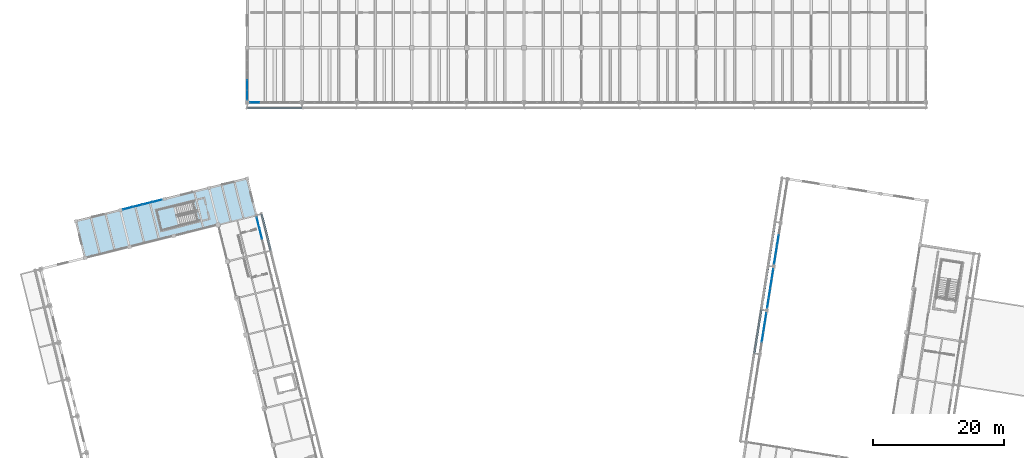
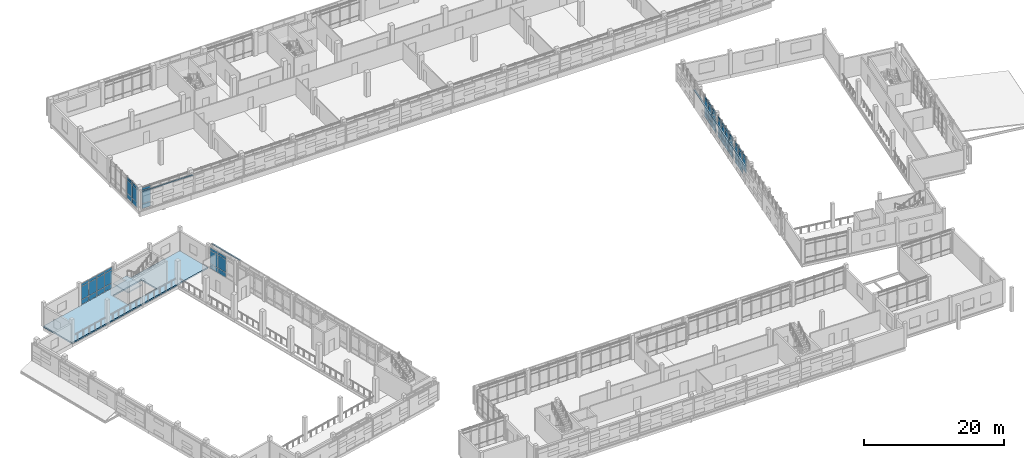
# One storey, part 98 of 137: 61 plates, 2 slabs, 8 elements without a shape of their own.
"""IFC4 building model written with IfcOpenShell, lengths in metres."""

from ifc_helpers import new_model, si_unit, direction, frame, origin, origin_2d, place, context, subcontext, project, spatial, polyline, rectangle, outline, extrude, material, layer, layer_set, type_object, element, aggregate, save


model = new_model("IFC4")

# Units and contexts
model_context = context("Model", 3, precision=1e-05, world=origin(), true_north=direction((0.0, 1.0)))
body_context = subcontext(model_context, "Body", "Model", "MODEL_VIEW")
ifc_project = project(units=[si_unit("LENGTHUNIT", "METRE"), si_unit("AREAUNIT", "SQUARE_METRE"), si_unit("VOLUMEUNIT", "CUBIC_METRE"), si_unit("PLANEANGLEUNIT", "RADIAN"), si_unit("MASSUNIT", "GRAM", prefix="KILO")], contexts=[model_context])

# Site, building, storey
site_placement = place(None, origin())
site = spatial("IfcSite", under=ifc_project, at=site_placement, CompositionType="ELEMENT")
building_placement = place(site_placement, origin())
building = spatial("IfcBuilding", under=site, at=building_placement, Name="Cinderway Yard Community Centre", CompositionType="ELEMENT")
storey_placement = place(building_placement, frame((0.0, 0.0, 4.800048828125)))
storey = spatial("IfcBuildingStorey", under=building, at=storey_placement, Name="L01", CompositionType="ELEMENT", Elevation=4.800048828125)

# Curtain wall, plates
ifc_material_1 = material(Name="Aluminium 6063-T6", Category="aluminium")
curtain_wall_type_1 = type_object("IfcCurtainWallType", Name="ENV-CW-TYPE-05", PredefinedType="USERDEFINED", material=ifc_material_1)
curtain_wall_1_placement = place(storey_placement, origin())
curtain_wall_1 = element("IfcCurtainWall", 1, at=curtain_wall_1_placement, inside=storey, type_object=curtain_wall_type_1, Name="Choir North Curtain Wall ENV-CW-L01-ST-0019", ObjectType="GLAZED CURTAIN WALL", PredefinedType="USERDEFINED")
ifc_material_2 = material(Name="Laminated Low-E Glass", Category="glass")
ifc_layer_1 = layer(ifc_material_2, 0.028076171875, Name="Laminated Low-E Glass")
ifc_layer_set_1 = layer_set([ifc_layer_1], Name="Laminated Low-E Glass")
plate_type_1 = type_object("IfcPlateType", Name="ENV-CW-PAN-IGU28", PredefinedType="CURTAIN_PANEL", material=ifc_layer_set_1)
plate_1_placement = place(storey_placement, frame((23.308349609375, 73.809326171875, 0.059814453125), z_axis=(0.0, 0.0, 1.0), x_axis=(0.97027434352, 0.242007641009, 0.0)))
plate_1 = element("IfcPlate", 2, at=plate_1_placement, type_object=plate_type_1, Name="CW-05 panel 1.1", PredefinedType="CURTAIN_PANEL", context=body_context, shape_type="SweptSolid", body=[
    extrude(rectangle(XDim=1.469970703125, YDim=0.028076171875, at=origin_2d()), origin(), (0.0, 0.0, 1.0), 0.81005859375),
])
plate_2_placement = place(storey_placement, frame((23.308349609375, 73.809326171875, 0.93017578125), z_axis=(0.0, 0.0, 1.0), x_axis=(0.97027434352, 0.242007641009, 0.0)))
plate_2 = element("IfcPlate", 3, at=plate_2_placement, type_object=plate_type_1, Name="CW-05 panel 1.2", PredefinedType="CURTAIN_PANEL", context=body_context, shape_type="SweptSolid", body=[
    extrude(rectangle(XDim=1.469970703125, YDim=0.028076171875, at=origin_2d()), origin(), (0.0, 0.0, 1.0), 2.239990234375),
])
plate_3_placement = place(storey_placement, frame((23.308349609375, 73.809326171875, 3.22998046875), z_axis=(0.0, 0.0, 1.0), x_axis=(0.97027434352, 0.242007641009, 0.0)))
plate_3 = element("IfcPlate", 4, at=plate_3_placement, type_object=plate_type_1, Name="CW-05 panel 1.3", PredefinedType="CURTAIN_PANEL", context=body_context, shape_type="SweptSolid", body=[
    extrude(rectangle(XDim=1.469970703125, YDim=0.028076171875, at=origin_2d()), origin(), (0.0, 0.0, 1.0), 0.4599609375),
])
plate_4_placement = place(storey_placement, frame((24.80712890625, 74.183349609375, 0.059814453125), z_axis=(0.0, 0.0, 1.0), x_axis=(0.97027434352, 0.242007641009, 0.0)))
plate_4 = element("IfcPlate", 5, at=plate_4_placement, type_object=plate_type_1, Name="CW-05 panel 2.1", PredefinedType="CURTAIN_PANEL", context=body_context, shape_type="SweptSolid", body=[
    extrude(rectangle(XDim=1.499755859375, YDim=0.028076171875, at=origin_2d()), origin(), (0.0, 0.0, 1.0), 0.81005859375),
])
plate_5_placement = place(storey_placement, frame((24.80712890625, 74.183349609375, 0.93017578125), z_axis=(0.0, 0.0, 1.0), x_axis=(0.97027434352, 0.242007641009, 0.0)))
plate_5 = element("IfcPlate", 6, at=plate_5_placement, type_object=plate_type_1, Name="CW-05 panel 2.2", PredefinedType="CURTAIN_PANEL", context=body_context, shape_type="SweptSolid", body=[
    extrude(rectangle(XDim=1.499755859375, YDim=0.028076171875, at=origin_2d()), origin(), (0.0, 0.0, 1.0), 2.239990234375),
])
plate_6_placement = place(storey_placement, frame((24.80712890625, 74.183349609375, 3.22998046875), z_axis=(0.0, 0.0, 1.0), x_axis=(0.97027434352, 0.242007641009, 0.0)))
plate_6 = element("IfcPlate", 7, at=plate_6_placement, type_object=plate_type_1, Name="CW-05 panel 2.3", PredefinedType="CURTAIN_PANEL", context=body_context, shape_type="SweptSolid", body=[
    extrude(rectangle(XDim=1.499755859375, YDim=0.028076171875, at=origin_2d()), origin(), (0.0, 0.0, 1.0), 0.4599609375),
])
plate_7_placement = place(storey_placement, frame((26.32080078125, 74.560791015625, 0.059814453125), z_axis=(0.0, 0.0, 1.0), x_axis=(0.97027434352, 0.242007641009, 0.0)))
plate_7 = element("IfcPlate", 8, at=plate_7_placement, type_object=plate_type_1, Name="CW-05 panel 3.1", PredefinedType="CURTAIN_PANEL", context=body_context, shape_type="SweptSolid", body=[
    extrude(rectangle(XDim=1.499755859375, YDim=0.028076171875, at=origin_2d()), origin(), (0.0, 0.0, 1.0), 0.81005859375),
])
plate_8_placement = place(storey_placement, frame((26.32080078125, 74.560791015625, 0.93017578125), z_axis=(0.0, 0.0, 1.0), x_axis=(0.97027434352, 0.242007641009, 0.0)))
plate_8 = element("IfcPlate", 9, at=plate_8_placement, type_object=plate_type_1, Name="CW-05 panel 3.2", PredefinedType="CURTAIN_PANEL", context=body_context, shape_type="SweptSolid", body=[
    extrude(rectangle(XDim=1.499755859375, YDim=0.028076171875, at=origin_2d()), origin(), (0.0, 0.0, 1.0), 2.239990234375),
])
plate_9_placement = place(storey_placement, frame((26.32080078125, 74.560791015625, 3.22998046875), z_axis=(0.0, 0.0, 1.0), x_axis=(0.97027434352, 0.242007641009, 0.0)))
plate_9 = element("IfcPlate", 10, at=plate_9_placement, type_object=plate_type_1, Name="CW-05 panel 3.3", PredefinedType="CURTAIN_PANEL", context=body_context, shape_type="SweptSolid", body=[
    extrude(rectangle(XDim=1.499755859375, YDim=0.028076171875, at=origin_2d()), origin(), (0.0, 0.0, 1.0), 0.4599609375),
])
plate_10_placement = place(storey_placement, frame((27.819580078125, 74.9345703125, 0.059814453125), z_axis=(0.0, 0.0, 1.0), x_axis=(0.97027434352, 0.242007641009, 0.0)))
plate_10 = element("IfcPlate", 11, at=plate_10_placement, type_object=plate_type_1, Name="CW-05 panel 4.1", PredefinedType="CURTAIN_PANEL", context=body_context, shape_type="SweptSolid", body=[
    extrude(rectangle(XDim=1.469970703125, YDim=0.028076171875, at=origin_2d()), origin(), (0.0, 0.0, 1.0), 0.81005859375),
])
plate_11_placement = place(storey_placement, frame((27.819580078125, 74.9345703125, 0.93017578125), z_axis=(0.0, 0.0, 1.0), x_axis=(0.97027434352, 0.242007641009, 0.0)))
plate_11 = element("IfcPlate", 12, at=plate_11_placement, type_object=plate_type_1, Name="CW-05 panel 4.2", PredefinedType="CURTAIN_PANEL", context=body_context, shape_type="SweptSolid", body=[
    extrude(rectangle(XDim=1.469970703125, YDim=0.028076171875, at=origin_2d()), origin(), (0.0, 0.0, 1.0), 2.239990234375),
])
plate_12_placement = place(storey_placement, frame((27.819580078125, 74.9345703125, 3.22998046875), z_axis=(0.0, 0.0, 1.0), x_axis=(0.97027434352, 0.242007641009, 0.0)))
plate_12 = element("IfcPlate", 13, at=plate_12_placement, type_object=plate_type_1, Name="CW-05 panel 4.3", PredefinedType="CURTAIN_PANEL", context=body_context, shape_type="SweptSolid", body=[
    extrude(rectangle(XDim=1.469970703125, YDim=0.028076171875, at=origin_2d()), origin(), (0.0, 0.0, 1.0), 0.4599609375),
])
aggregate(curtain_wall_1, [plate_1, plate_2, plate_3, plate_4, plate_5, plate_6, plate_7, plate_8, plate_9, plate_10, plate_11, plate_12])

curtain_wall_type_2 = type_object("IfcCurtainWallType", Name="ENV-CW-TYPE-26", PredefinedType="USERDEFINED", material=ifc_material_1)
curtain_wall_2_placement = place(storey_placement, origin())
curtain_wall_2 = element("IfcCurtainWall", 14, at=curtain_wall_2_placement, inside=storey, type_object=curtain_wall_type_2, Name="V4 Courtyard Curtain Wall ENV-CW-L01-ST-0122", ObjectType="GLAZED CURTAIN WALL", PredefinedType="USERDEFINED")
plate_13_placement = place(storey_placement, frame((42.759033203125, 90.0, 0.059814453125), z_axis=(0.0, 0.0, 1.0), x_axis=(1.0, 0.0, 0.0)))
plate_13 = element("IfcPlate", 15, at=plate_13_placement, type_object=plate_type_1, Name="CW-26 panel 1.1", PredefinedType="CURTAIN_PANEL", context=body_context, shape_type="SweptSolid", body=[
    extrude(rectangle(XDim=1.43798828125, YDim=0.028076171875, at=origin_2d()), origin(), (0.0, 0.0, 1.0), 0.81005859375),
])
plate_14_placement = place(storey_placement, frame((42.759033203125, 90.0, 0.93017578125), z_axis=(0.0, 0.0, 1.0), x_axis=(1.0, 0.0, 0.0)))
plate_14 = element("IfcPlate", 16, at=plate_14_placement, type_object=plate_type_1, Name="CW-26 panel 1.2", PredefinedType="CURTAIN_PANEL", context=body_context, shape_type="SweptSolid", body=[
    extrude(rectangle(XDim=1.43798828125, YDim=0.028076171875, at=origin_2d()), origin(), (0.0, 0.0, 1.0), 2.239990234375),
])
plate_15_placement = place(storey_placement, frame((42.759033203125, 90.0, 3.22998046875), z_axis=(0.0, 0.0, 1.0), x_axis=(1.0, 0.0, 0.0)))
plate_15 = element("IfcPlate", 17, at=plate_15_placement, type_object=plate_type_1, Name="CW-26 panel 1.3", PredefinedType="CURTAIN_PANEL", context=body_context, shape_type="SweptSolid", body=[
    extrude(rectangle(XDim=1.43798828125, YDim=0.028076171875, at=origin_2d()), origin(), (0.0, 0.0, 1.0), 0.4599609375),
])
aggregate(curtain_wall_2, [plate_13, plate_14, plate_15])

curtain_wall_3_placement = place(storey_placement, origin())
curtain_wall_3 = element("IfcCurtainWall", 18, at=curtain_wall_3_placement, inside=storey, type_object=curtain_wall_type_2, Name="V4 West End Curtain Wall ENV-CW-L01-ST-0140", ObjectType="GLAZED CURTAIN WALL", PredefinedType="USERDEFINED")
plate_16_placement = place(storey_placement, frame((41.60009765625, 91.158935546875, 0.059814453125), z_axis=(0.0, 0.0, 1.0), x_axis=(0.0, 1.0, 0.0)))
plate_16 = element("IfcPlate", 19, at=plate_16_placement, type_object=plate_type_1, Name="CW-26 panel 1.1", PredefinedType="CURTAIN_PANEL", context=body_context, shape_type="SweptSolid", body=[
    extrude(rectangle(XDim=1.43798828125, YDim=0.028076171875, at=origin_2d()), origin(), (0.0, 0.0, 1.0), 0.81005859375),
])
plate_17_placement = place(storey_placement, frame((41.60009765625, 91.158935546875, 0.93017578125), z_axis=(0.0, 0.0, 1.0), x_axis=(0.0, 1.0, 0.0)))
plate_17 = element("IfcPlate", 20, at=plate_17_placement, type_object=plate_type_1, Name="CW-26 panel 1.2", PredefinedType="CURTAIN_PANEL", context=body_context, shape_type="SweptSolid", body=[
    extrude(rectangle(XDim=1.43798828125, YDim=0.028076171875, at=origin_2d()), origin(), (0.0, 0.0, 1.0), 2.239990234375),
])
plate_18_placement = place(storey_placement, frame((41.60009765625, 91.158935546875, 3.22998046875), z_axis=(0.0, 0.0, 1.0), x_axis=(0.0, 1.0, 0.0)))
plate_18 = element("IfcPlate", 21, at=plate_18_placement, type_object=plate_type_1, Name="CW-26 panel 1.3", PredefinedType="CURTAIN_PANEL", context=body_context, shape_type="SweptSolid", body=[
    extrude(rectangle(XDim=1.43798828125, YDim=0.028076171875, at=origin_2d()), origin(), (0.0, 0.0, 1.0), 0.4599609375),
])
plate_19_placement = place(storey_placement, frame((41.60009765625, 92.672119140625, 0.059814453125), z_axis=(0.0, 0.0, 1.0), x_axis=(0.0, 1.0, 0.0)))
plate_19 = element("IfcPlate", 22, at=plate_19_placement, type_object=plate_type_1, Name="CW-26 panel 2.1", PredefinedType="CURTAIN_PANEL", context=body_context, shape_type="SweptSolid", body=[
    extrude(rectangle(XDim=1.468017578125, YDim=0.028076171875, at=origin_2d()), origin(), (0.0, 0.0, 1.0), 0.81005859375),
])
plate_20_placement = place(storey_placement, frame((41.60009765625, 92.672119140625, 0.93017578125), z_axis=(0.0, 0.0, 1.0), x_axis=(0.0, 1.0, 0.0)))
plate_20 = element("IfcPlate", 23, at=plate_20_placement, type_object=plate_type_1, Name="CW-26 panel 2.2", PredefinedType="CURTAIN_PANEL", context=body_context, shape_type="SweptSolid", body=[
    extrude(rectangle(XDim=1.468017578125, YDim=0.028076171875, at=origin_2d()), origin(), (0.0, 0.0, 1.0), 2.239990234375),
])
plate_21_placement = place(storey_placement, frame((41.60009765625, 92.672119140625, 3.22998046875), z_axis=(0.0, 0.0, 1.0), x_axis=(0.0, 1.0, 0.0)))
plate_21 = element("IfcPlate", 24, at=plate_21_placement, type_object=plate_type_1, Name="CW-26 panel 2.3", PredefinedType="CURTAIN_PANEL", context=body_context, shape_type="SweptSolid", body=[
    extrude(rectangle(XDim=1.468017578125, YDim=0.028076171875, at=origin_2d()), origin(), (0.0, 0.0, 1.0), 0.4599609375),
])
aggregate(curtain_wall_3, [plate_16, plate_17, plate_18, plate_19, plate_20, plate_21])

curtain_wall_type_3 = type_object("IfcCurtainWallType", Name="ENV-CW-TYPE-04", PredefinedType="USERDEFINED", material=ifc_material_1)
curtain_wall_4_placement = place(storey_placement, origin())
curtain_wall_4 = element("IfcCurtainWall", 25, at=curtain_wall_4_placement, inside=storey, type_object=curtain_wall_type_3, Name="Main Hall Courtyard Curtain Wall ENV-CW-L01-HS-0016", ObjectType="GLAZED CURTAIN WALL", PredefinedType="USERDEFINED")
ifc_layer_2 = layer(ifc_material_2, 0.031982421875, Name="Laminated Low-E Glass")
ifc_layer_set_2 = layer_set([ifc_layer_2], Name="Laminated Low-E Glass")
plate_type_2 = type_object("IfcPlateType", Name="ENV-CW-PAN-IGU32", PredefinedType="CURTAIN_PANEL", material=ifc_layer_set_2)
plate_22_placement = place(storey_placement, frame((43.678955078125, 69.922119140625, 0.059814453125), z_axis=(0.0, 0.0, 1.0), x_axis=(-0.242072522276, 0.970258158409, 0.0)))
plate_22 = element("IfcPlate", 26, at=plate_22_placement, type_object=plate_type_2, Name="CW-04 panel 2.1", PredefinedType="CURTAIN_PANEL", context=body_context, shape_type="SweptSolid", body=[
    extrude(rectangle(XDim=1.6337890625, YDim=0.028076171875, at=origin_2d()), origin(), (0.0, 0.0, 1.0), 0.81005859375),
])
plate_23_placement = place(storey_placement, frame((43.678955078125, 69.922119140625, 0.93017578125), z_axis=(0.0, 0.0, 1.0), x_axis=(-0.242072522276, 0.970258158409, 0.0)))
plate_23 = element("IfcPlate", 27, at=plate_23_placement, type_object=plate_type_2, Name="CW-04 panel 2.2", PredefinedType="CURTAIN_PANEL", context=body_context, shape_type="SweptSolid", body=[
    extrude(rectangle(XDim=1.6337890625, YDim=0.028076171875, at=origin_2d()), origin(), (0.0, 0.0, 1.0), 2.239990234375),
])
plate_24_placement = place(storey_placement, frame((43.678955078125, 69.922119140625, 3.22998046875), z_axis=(0.0, 0.0, 1.0), x_axis=(-0.242072522276, 0.970258158409, 0.0)))
plate_24 = element("IfcPlate", 28, at=plate_24_placement, type_object=plate_type_2, Name="CW-04 panel 2.3", PredefinedType="CURTAIN_PANEL", context=body_context, shape_type="SweptSolid", body=[
    extrude(rectangle(XDim=1.6337890625, YDim=0.028076171875, at=origin_2d()), origin(), (0.0, 0.0, 1.0), 0.4599609375),
])
plate_25_placement = place(storey_placement, frame((43.272705078125, 71.55078125, 0.059814453125), z_axis=(0.0, 0.0, 1.0), x_axis=(-0.242072522276, 0.970258158409, 0.0)))
plate_25 = element("IfcPlate", 29, at=plate_25_placement, type_object=plate_type_2, Name="CW-04 panel 3.1", PredefinedType="CURTAIN_PANEL", context=body_context, shape_type="SweptSolid", body=[
    extrude(rectangle(XDim=1.603759765625, YDim=0.028076171875, at=origin_2d()), origin(), (0.0, 0.0, 1.0), 0.81005859375),
])
plate_26_placement = place(storey_placement, frame((43.272705078125, 71.55078125, 0.93017578125), z_axis=(0.0, 0.0, 1.0), x_axis=(-0.242072522276, 0.970258158409, 0.0)))
plate_26 = element("IfcPlate", 30, at=plate_26_placement, type_object=plate_type_2, Name="CW-04 panel 3.2", PredefinedType="CURTAIN_PANEL", context=body_context, shape_type="SweptSolid", body=[
    extrude(rectangle(XDim=1.603759765625, YDim=0.028076171875, at=origin_2d()), origin(), (0.0, 0.0, 1.0), 2.239990234375),
])
plate_27_placement = place(storey_placement, frame((43.272705078125, 71.55078125, 3.22998046875), z_axis=(0.0, 0.0, 1.0), x_axis=(-0.242072522276, 0.970258158409, 0.0)))
plate_27 = element("IfcPlate", 31, at=plate_27_placement, type_object=plate_type_2, Name="CW-04 panel 3.3", PredefinedType="CURTAIN_PANEL", context=body_context, shape_type="SweptSolid", body=[
    extrude(rectangle(XDim=1.603759765625, YDim=0.028076171875, at=origin_2d()), origin(), (0.0, 0.0, 1.0), 0.4599609375),
])
aggregate(curtain_wall_4, [plate_22, plate_23, plate_24, plate_25, plate_26, plate_27])

curtain_wall_type_4 = type_object("IfcCurtainWallType", Name="ENV-CW-TYPE-14", PredefinedType="USERDEFINED", material=ifc_material_1)
curtain_wall_5_placement = place(storey_placement, origin())
curtain_wall_5 = element("IfcCurtainWall", 32, at=curtain_wall_5_placement, inside=storey, type_object=curtain_wall_type_4, Name="Sports Hall Courtyard Curtain Wall ENV-CW-L01-HS-0053", ObjectType="GLAZED CURTAIN WALL", PredefinedType="USERDEFINED")
plate_28_placement = place(storey_placement, frame((120.541259765625, 54.045166015625, 0.93017578125), z_axis=(0.0, 0.0, 1.0), x_axis=(0.1564471314, 0.987686334358, 0.0)))
plate_28 = element("IfcPlate", 33, at=plate_28_placement, type_object=plate_type_2, Name="CW-14 panel 2.2", PredefinedType="CURTAIN_PANEL", context=body_context, shape_type="SweptSolid", body=[
    extrude(rectangle(XDim=1.4501953125, YDim=0.028076171875, at=origin_2d()), origin(), (0.0, 0.0, 1.0), 2.239990234375),
])
plate_29_placement = place(storey_placement, frame((120.541259765625, 54.045166015625, 3.22998046875), z_axis=(0.0, 0.0, 1.0), x_axis=(0.1564471314, 0.987686334358, 0.0)))
plate_29 = element("IfcPlate", 34, at=plate_29_placement, type_object=plate_type_2, Name="CW-14 panel 2.3", PredefinedType="CURTAIN_PANEL", context=body_context, shape_type="SweptSolid", body=[
    extrude(rectangle(XDim=1.4501953125, YDim=0.028076171875, at=origin_2d()), origin(), (0.0, 0.0, 1.0), 0.4599609375),
])
plate_30_placement = place(storey_placement, frame((120.777587890625, 55.536865234375, 0.059814453125), z_axis=(0.0, 0.0, 1.0), x_axis=(0.1564471314, 0.987686334358, 0.0)))
plate_30 = element("IfcPlate", 35, at=plate_30_placement, type_object=plate_type_2, Name="CW-14 panel 3.1", PredefinedType="CURTAIN_PANEL", context=body_context, shape_type="SweptSolid", body=[
    extrude(rectangle(XDim=1.4501953125, YDim=0.028076171875, at=origin_2d()), origin(), (0.0, 0.0, 1.0), 0.81005859375),
])
plate_31_placement = place(storey_placement, frame((120.777587890625, 55.536865234375, 0.93017578125), z_axis=(0.0, 0.0, 1.0), x_axis=(0.1564471314, 0.987686334358, 0.0)))
plate_31 = element("IfcPlate", 36, at=plate_31_placement, type_object=plate_type_2, Name="CW-14 panel 3.2", PredefinedType="CURTAIN_PANEL", context=body_context, shape_type="SweptSolid", body=[
    extrude(rectangle(XDim=1.4501953125, YDim=0.028076171875, at=origin_2d()), origin(), (0.0, 0.0, 1.0), 2.239990234375),
])
plate_32_placement = place(storey_placement, frame((120.777587890625, 55.536865234375, 3.22998046875), z_axis=(0.0, 0.0, 1.0), x_axis=(0.1564471314, 0.987686334358, 0.0)))
plate_32 = element("IfcPlate", 37, at=plate_32_placement, type_object=plate_type_2, Name="CW-14 panel 3.3", PredefinedType="CURTAIN_PANEL", context=body_context, shape_type="SweptSolid", body=[
    extrude(rectangle(XDim=1.4501953125, YDim=0.028076171875, at=origin_2d()), origin(), (0.0, 0.0, 1.0), 0.4599609375),
])
plate_33_placement = place(storey_placement, frame((121.011474609375, 57.013427734375, 0.059814453125), z_axis=(0.0, 0.0, 1.0), x_axis=(0.1564471314, 0.987686334358, 0.0)))
plate_33 = element("IfcPlate", 38, at=plate_33_placement, type_object=plate_type_2, Name="CW-14 panel 4.1", PredefinedType="CURTAIN_PANEL", context=body_context, shape_type="SweptSolid", body=[
    extrude(rectangle(XDim=1.420166015625, YDim=0.028076171875, at=origin_2d()), origin(), (0.0, 0.0, 1.0), 0.81005859375),
])
plate_34_placement = place(storey_placement, frame((121.011474609375, 57.013427734375, 0.93017578125), z_axis=(0.0, 0.0, 1.0), x_axis=(0.1564471314, 0.987686334358, 0.0)))
plate_34 = element("IfcPlate", 39, at=plate_34_placement, type_object=plate_type_2, Name="CW-14 panel 4.2", PredefinedType="CURTAIN_PANEL", context=body_context, shape_type="SweptSolid", body=[
    extrude(rectangle(XDim=1.420166015625, YDim=0.028076171875, at=origin_2d()), origin(), (0.0, 0.0, 1.0), 2.239990234375),
])
plate_35_placement = place(storey_placement, frame((121.011474609375, 57.013427734375, 3.22998046875), z_axis=(0.0, 0.0, 1.0), x_axis=(0.1564471314, 0.987686334358, 0.0)))
plate_35 = element("IfcPlate", 40, at=plate_35_placement, type_object=plate_type_2, Name="CW-14 panel 4.3", PredefinedType="CURTAIN_PANEL", context=body_context, shape_type="SweptSolid", body=[
    extrude(rectangle(XDim=1.420166015625, YDim=0.028076171875, at=origin_2d()), origin(), (0.0, 0.0, 1.0), 0.4599609375),
])
aggregate(curtain_wall_5, [plate_28, plate_29, plate_30, plate_31, plate_32, plate_33, plate_34, plate_35])

curtain_wall_6_placement = place(storey_placement, origin())
curtain_wall_6 = element("IfcCurtainWall", 41, at=curtain_wall_6_placement, inside=storey, type_object=curtain_wall_type_4, Name="Sports Hall Courtyard Curtain Wall ENV-CW-L01-HS-0054", ObjectType="GLAZED CURTAIN WALL", PredefinedType="USERDEFINED")
plate_36_placement = place(storey_placement, frame((121.37060546875, 59.28466796875, 0.059814453125), z_axis=(0.0, 0.0, 1.0), x_axis=(0.156608625643, 0.987660740525, 0.0)))
plate_36 = element("IfcPlate", 42, at=plate_36_placement, type_object=plate_type_2, Name="CW-14 panel 1.1", PredefinedType="CURTAIN_PANEL", context=body_context, shape_type="SweptSolid", body=[
    extrude(rectangle(XDim=1.420166015625, YDim=0.028076171875, at=origin_2d()), origin(), (0.0, 0.0, 1.0), 0.81005859375),
])
plate_37_placement = place(storey_placement, frame((121.37060546875, 59.28466796875, 0.93017578125), z_axis=(0.0, 0.0, 1.0), x_axis=(0.156608625643, 0.987660740525, 0.0)))
plate_37 = element("IfcPlate", 43, at=plate_37_placement, type_object=plate_type_2, Name="CW-14 panel 1.2", PredefinedType="CURTAIN_PANEL", context=body_context, shape_type="SweptSolid", body=[
    extrude(rectangle(XDim=1.420166015625, YDim=0.028076171875, at=origin_2d()), origin(), (0.0, 0.0, 1.0), 2.239990234375),
])
plate_38_placement = place(storey_placement, frame((121.37060546875, 59.28466796875, 3.22998046875), z_axis=(0.0, 0.0, 1.0), x_axis=(0.156608625643, 0.987660740525, 0.0)))
plate_38 = element("IfcPlate", 44, at=plate_38_placement, type_object=plate_type_2, Name="CW-14 panel 1.3", PredefinedType="CURTAIN_PANEL", context=body_context, shape_type="SweptSolid", body=[
    extrude(rectangle(XDim=1.420166015625, YDim=0.028076171875, at=origin_2d()), origin(), (0.0, 0.0, 1.0), 0.4599609375),
])
plate_39_placement = place(storey_placement, frame((121.604736328125, 60.76123046875, 0.059814453125), z_axis=(0.0, 0.0, 1.0), x_axis=(0.156608625643, 0.987660740525, 0.0)))
plate_39 = element("IfcPlate", 45, at=plate_39_placement, type_object=plate_type_2, Name="CW-14 panel 2.1", PredefinedType="CURTAIN_PANEL", context=body_context, shape_type="SweptSolid", body=[
    extrude(rectangle(XDim=1.4501953125, YDim=0.028076171875, at=origin_2d()), origin(), (0.0, 0.0, 1.0), 0.81005859375),
])
plate_40_placement = place(storey_placement, frame((121.604736328125, 60.76123046875, 0.93017578125), z_axis=(0.0, 0.0, 1.0), x_axis=(0.156608625643, 0.987660740525, 0.0)))
plate_40 = element("IfcPlate", 46, at=plate_40_placement, type_object=plate_type_2, Name="CW-14 panel 2.2", PredefinedType="CURTAIN_PANEL", context=body_context, shape_type="SweptSolid", body=[
    extrude(rectangle(XDim=1.4501953125, YDim=0.028076171875, at=origin_2d()), origin(), (0.0, 0.0, 1.0), 2.239990234375),
])
plate_41_placement = place(storey_placement, frame((121.604736328125, 60.76123046875, 3.22998046875), z_axis=(0.0, 0.0, 1.0), x_axis=(0.156608625643, 0.987660740525, 0.0)))
plate_41 = element("IfcPlate", 47, at=plate_41_placement, type_object=plate_type_2, Name="CW-14 panel 2.3", PredefinedType="CURTAIN_PANEL", context=body_context, shape_type="SweptSolid", body=[
    extrude(rectangle(XDim=1.4501953125, YDim=0.028076171875, at=origin_2d()), origin(), (0.0, 0.0, 1.0), 0.4599609375),
])
plate_42_placement = place(storey_placement, frame((121.84130859375, 62.252685546875, 0.059814453125), z_axis=(0.0, 0.0, 1.0), x_axis=(0.156608625643, 0.987660740525, 0.0)))
plate_42 = element("IfcPlate", 48, at=plate_42_placement, type_object=plate_type_2, Name="CW-14 panel 3.1", PredefinedType="CURTAIN_PANEL", context=body_context, shape_type="SweptSolid", body=[
    extrude(rectangle(XDim=1.4501953125, YDim=0.028076171875, at=origin_2d()), origin(), (0.0, 0.0, 1.0), 0.81005859375),
])
plate_43_placement = place(storey_placement, frame((121.84130859375, 62.252685546875, 0.93017578125), z_axis=(0.0, 0.0, 1.0), x_axis=(0.156608625643, 0.987660740525, 0.0)))
plate_43 = element("IfcPlate", 49, at=plate_43_placement, type_object=plate_type_2, Name="CW-14 panel 3.2", PredefinedType="CURTAIN_PANEL", context=body_context, shape_type="SweptSolid", body=[
    extrude(rectangle(XDim=1.4501953125, YDim=0.028076171875, at=origin_2d()), origin(), (0.0, 0.0, 1.0), 2.239990234375),
])
plate_44_placement = place(storey_placement, frame((121.84130859375, 62.252685546875, 3.22998046875), z_axis=(0.0, 0.0, 1.0), x_axis=(0.156608625643, 0.987660740525, 0.0)))
plate_44 = element("IfcPlate", 50, at=plate_44_placement, type_object=plate_type_2, Name="CW-14 panel 3.3", PredefinedType="CURTAIN_PANEL", context=body_context, shape_type="SweptSolid", body=[
    extrude(rectangle(XDim=1.4501953125, YDim=0.028076171875, at=origin_2d()), origin(), (0.0, 0.0, 1.0), 0.4599609375),
])
plate_45_placement = place(storey_placement, frame((122.075439453125, 63.7294921875, 0.059814453125), z_axis=(0.0, 0.0, 1.0), x_axis=(0.156608625643, 0.987660740525, 0.0)))
plate_45 = element("IfcPlate", 51, at=plate_45_placement, type_object=plate_type_2, Name="CW-14 panel 4.1", PredefinedType="CURTAIN_PANEL", context=body_context, shape_type="SweptSolid", body=[
    extrude(rectangle(XDim=1.420166015625, YDim=0.028076171875, at=origin_2d()), origin(), (0.0, 0.0, 1.0), 0.81005859375),
])
plate_46_placement = place(storey_placement, frame((122.075439453125, 63.7294921875, 0.93017578125), z_axis=(0.0, 0.0, 1.0), x_axis=(0.156608625643, 0.987660740525, 0.0)))
plate_46 = element("IfcPlate", 52, at=plate_46_placement, type_object=plate_type_2, Name="CW-14 panel 4.2", PredefinedType="CURTAIN_PANEL", context=body_context, shape_type="SweptSolid", body=[
    extrude(rectangle(XDim=1.420166015625, YDim=0.028076171875, at=origin_2d()), origin(), (0.0, 0.0, 1.0), 2.239990234375),
])
plate_47_placement = place(storey_placement, frame((122.075439453125, 63.7294921875, 3.22998046875), z_axis=(0.0, 0.0, 1.0), x_axis=(0.156608625643, 0.987660740525, 0.0)))
plate_47 = element("IfcPlate", 53, at=plate_47_placement, type_object=plate_type_2, Name="CW-14 panel 4.3", PredefinedType="CURTAIN_PANEL", context=body_context, shape_type="SweptSolid", body=[
    extrude(rectangle(XDim=1.420166015625, YDim=0.028076171875, at=origin_2d()), origin(), (0.0, 0.0, 1.0), 0.4599609375),
])
aggregate(curtain_wall_6, [plate_36, plate_37, plate_38, plate_39, plate_40, plate_41, plate_42, plate_43, plate_44, plate_45, plate_46, plate_47])

curtain_wall_7_placement = place(storey_placement, origin())
curtain_wall_7 = element("IfcCurtainWall", 54, at=curtain_wall_7_placement, inside=storey, type_object=curtain_wall_type_4, Name="Sports Hall Courtyard Curtain Wall ENV-CW-L01-HS-0055", ObjectType="GLAZED CURTAIN WALL", PredefinedType="USERDEFINED")
plate_48_placement = place(storey_placement, frame((122.4345703125, 66.00048828125, 0.059814453125), z_axis=(0.0, 0.0, 1.0), x_axis=(0.156608625643, 0.987660740525, 0.0)))
plate_48 = element("IfcPlate", 55, at=plate_48_placement, type_object=plate_type_2, Name="CW-14 panel 1.1", PredefinedType="CURTAIN_PANEL", context=body_context, shape_type="SweptSolid", body=[
    extrude(rectangle(XDim=1.420166015625, YDim=0.028076171875, at=origin_2d()), origin(), (0.0, 0.0, 1.0), 0.81005859375),
])
plate_49_placement = place(storey_placement, frame((122.4345703125, 66.00048828125, 0.93017578125), z_axis=(0.0, 0.0, 1.0), x_axis=(0.156608625643, 0.987660740525, 0.0)))
plate_49 = element("IfcPlate", 56, at=plate_49_placement, type_object=plate_type_2, Name="CW-14 panel 1.2", PredefinedType="CURTAIN_PANEL", context=body_context, shape_type="SweptSolid", body=[
    extrude(rectangle(XDim=1.420166015625, YDim=0.028076171875, at=origin_2d()), origin(), (0.0, 0.0, 1.0), 2.239990234375),
])
plate_50_placement = place(storey_placement, frame((122.4345703125, 66.00048828125, 3.22998046875), z_axis=(0.0, 0.0, 1.0), x_axis=(0.156608625643, 0.987660740525, 0.0)))
plate_50 = element("IfcPlate", 57, at=plate_50_placement, type_object=plate_type_2, Name="CW-14 panel 1.3", PredefinedType="CURTAIN_PANEL", context=body_context, shape_type="SweptSolid", body=[
    extrude(rectangle(XDim=1.420166015625, YDim=0.028076171875, at=origin_2d()), origin(), (0.0, 0.0, 1.0), 0.4599609375),
])
plate_51_placement = place(storey_placement, frame((122.668701171875, 67.477294921875, 0.059814453125), z_axis=(0.0, 0.0, 1.0), x_axis=(0.156608625643, 0.987660740525, 0.0)))
plate_51 = element("IfcPlate", 58, at=plate_51_placement, type_object=plate_type_2, Name="CW-14 panel 2.1", PredefinedType="CURTAIN_PANEL", context=body_context, shape_type="SweptSolid", body=[
    extrude(rectangle(XDim=1.4501953125, YDim=0.028076171875, at=origin_2d()), origin(), (0.0, 0.0, 1.0), 0.81005859375),
])
plate_52_placement = place(storey_placement, frame((122.668701171875, 67.477294921875, 0.93017578125), z_axis=(0.0, 0.0, 1.0), x_axis=(0.156608625643, 0.987660740525, 0.0)))
plate_52 = element("IfcPlate", 59, at=plate_52_placement, type_object=plate_type_2, Name="CW-14 panel 2.2", PredefinedType="CURTAIN_PANEL", context=body_context, shape_type="SweptSolid", body=[
    extrude(rectangle(XDim=1.4501953125, YDim=0.028076171875, at=origin_2d()), origin(), (0.0, 0.0, 1.0), 2.239990234375),
])
plate_53_placement = place(storey_placement, frame((122.668701171875, 67.477294921875, 3.22998046875), z_axis=(0.0, 0.0, 1.0), x_axis=(0.156608625643, 0.987660740525, 0.0)))
plate_53 = element("IfcPlate", 60, at=plate_53_placement, type_object=plate_type_2, Name="CW-14 panel 2.3", PredefinedType="CURTAIN_PANEL", context=body_context, shape_type="SweptSolid", body=[
    extrude(rectangle(XDim=1.4501953125, YDim=0.028076171875, at=origin_2d()), origin(), (0.0, 0.0, 1.0), 0.4599609375),
])
plate_54_placement = place(storey_placement, frame((122.9052734375, 68.96875, 0.059814453125), z_axis=(0.0, 0.0, 1.0), x_axis=(0.156608625643, 0.987660740525, 0.0)))
plate_54 = element("IfcPlate", 61, at=plate_54_placement, type_object=plate_type_2, Name="CW-14 panel 3.1", PredefinedType="CURTAIN_PANEL", context=body_context, shape_type="SweptSolid", body=[
    extrude(rectangle(XDim=1.4501953125, YDim=0.028076171875, at=origin_2d()), origin(), (0.0, 0.0, 1.0), 0.81005859375),
])
plate_55_placement = place(storey_placement, frame((122.9052734375, 68.96875, 0.93017578125), z_axis=(0.0, 0.0, 1.0), x_axis=(0.156608625643, 0.987660740525, 0.0)))
plate_55 = element("IfcPlate", 62, at=plate_55_placement, type_object=plate_type_2, Name="CW-14 panel 3.2", PredefinedType="CURTAIN_PANEL", context=body_context, shape_type="SweptSolid", body=[
    extrude(rectangle(XDim=1.4501953125, YDim=0.028076171875, at=origin_2d()), origin(), (0.0, 0.0, 1.0), 2.239990234375),
])
plate_56_placement = place(storey_placement, frame((122.9052734375, 68.96875, 3.22998046875), z_axis=(0.0, 0.0, 1.0), x_axis=(0.156608625643, 0.987660740525, 0.0)))
plate_56 = element("IfcPlate", 63, at=plate_56_placement, type_object=plate_type_2, Name="CW-14 panel 3.3", PredefinedType="CURTAIN_PANEL", context=body_context, shape_type="SweptSolid", body=[
    extrude(rectangle(XDim=1.4501953125, YDim=0.028076171875, at=origin_2d()), origin(), (0.0, 0.0, 1.0), 0.4599609375),
])
aggregate(curtain_wall_7, [plate_48, plate_49, plate_50, plate_51, plate_52, plate_53, plate_54, plate_55, plate_56])

# Plates
ifc_layer_3 = layer(ifc_material_1, 0.01611328125, Name="Aluminium 6063-T6")
ifc_layer_set_3 = layer_set([ifc_layer_3], Name="Aluminium 6063-T6")
plate_type_3 = type_object("IfcPlateType", Name="ENV-PLT-FASCIA16", PredefinedType="USERDEFINED", material=ifc_layer_set_3)
plate_57_placement = place(storey_placement, frame((45.800048828125, 89.14990234375, 3.7119140625), z_axis=(0.0, 0.0, 1.0), x_axis=(-1.0, 0.0, 0.0)))
element("IfcPlate", 64, at=plate_57_placement, inside=storey, type_object=plate_type_3, Name="Screen coping fascia 0040", ObjectType="FASCIA PLATE", PredefinedType="USERDEFINED", context=body_context, shape_type="SweptSolid", body=[
    extrude(rectangle(XDim=8.300048828125, YDim=0.260009765625, at=origin_2d()), origin(), (0.0, 0.0, 1.0), 0.01611328125),
])
plate_58_placement = place(storey_placement, frame((44.50390625, 70.1279296875, 3.7119140625), z_axis=(0.0, 0.0, 1.0), x_axis=(0.2419218956, -0.970295726276, 0.0)))
element("IfcPlate", 65, at=plate_58_placement, inside=storey, type_object=plate_type_3, Name="Screen coping fascia 0105", ObjectType="FASCIA PLATE", PredefinedType="USERDEFINED", context=body_context, shape_type="SweptSolid", body=[
    extrude(rectangle(XDim=5.699951171875, YDim=0.260009765625, at=origin_2d()), origin(), (0.0, 0.0, 1.0), 0.01611328125),
])
for number, where, z_axis, x_axis, name in (
    (66, (119.820068359375, 54.924072265625, 3.7119140625), (0.0, 0.0, 1.0), (0.15643446504, 0.987688340595, 0.0), "Screen coping fascia 0130"),
    (67, (120.883056640625, 61.639892578125, 3.7119140625), (0.0, 0.0, 1.0), (0.15643446504, 0.987688340595, 0.0), "Screen coping fascia 0131"),
    (68, (121.947021484375, 68.35595703125, 3.7119140625), (0.0, 0.0, 1.0), (0.15643446504, 0.987688340595, 0.0), "Screen coping fascia 0132"),
):
    element("IfcPlate", number, at=place(storey_placement, frame(where, z_axis=z_axis, x_axis=x_axis)), inside=storey, type_object=plate_type_3, Name=name, ObjectType="FASCIA PLATE", PredefinedType="USERDEFINED", context=body_context, shape_type="SweptSolid", body=[
        extrude(rectangle(XDim=6.699951171875, YDim=0.260009765625, at=origin_2d()), origin(), (0.0, 0.0, 1.0), 0.01611328125),
    ])

# Stair, slab
ifc_material_3 = material(Name="Concrete C40/50", Category="concrete")
stair_type = type_object("IfcStairType", Name="INT-STR-420B", PredefinedType="HALF_TURN_STAIR", material=ifc_material_3)
stair_placement = place(storey_placement, origin())
stair = element("IfcStair", 69, at=stair_placement, inside=storey, type_object=stair_type, Name="L01 Core C3B Exit Stair ST-06", PredefinedType="HALF_TURN_STAIR")
ifc_layer_4 = layer(ifc_material_3, 0.199951171875, Name="Concrete C40/50")
ifc_layer_set_4 = layer_set([ifc_layer_4], Name="Concrete C40/50")
slab_type_1 = type_object("IfcSlabType", Name="INT-SLB-LND200", PredefinedType="LANDING", material=ifc_layer_set_4)
slab_1_placement = place(storey_placement, frame((0.0, 0.0, 1.89990234375)))
slab_1 = element("IfcSlab", 70, at=slab_1_placement, type_object=slab_type_1, Name="ST-06 landing 1", PredefinedType="LANDING", context=body_context, shape_type="SweptSolid", body=[
    extrude(outline(polyline([(30.395751953125, 74.13427734375), (27.746826171875, 73.473876953125), (28.501708984375, 70.446533203125), (31.150634765625, 71.10693359375), (30.395751953125, 74.13427734375)])), origin(), (0.0, 0.0, 1.0), 0.199951171875),
])
aggregate(stair, [slab_1])

# Slab
ifc_material_4 = material(Name="Concrete C35/45", Category="concrete")
ifc_layer_5 = layer(ifc_material_4, 0.239990234375, Name="Concrete C35/45")
ifc_layer_set_5 = layer_set([ifc_layer_5], Name="Concrete C35/45")
slab_type_2 = type_object("IfcSlabType", Name="STR-SLAB-FLR-240", PredefinedType="FLOOR", material=ifc_layer_set_5)
slab_2_placement = place(storey_placement, frame((0.0, 0.0, -0.239990234375)))
element("IfcSlab", 71, at=slab_2_placement, inside=storey, type_object=slab_type_2, Name="V1 North Rehearsal Choir Slab L01 STR-SLAB-L01-012", PredefinedType="FLOOR", context=body_context, shape_type="SweptSolid", body=[
    extrude(outline(polyline([(16.779052734375, 66.2041015625), (42.97705078125, 72.736083984375), (41.573974609375, 78.364013671875), (15.3759765625, 71.83203125), (16.779052734375, 66.2041015625)]), holes=[polyline([(33.258056640625, 74.847900390625), (27.7470703125, 73.47412109375), (28.501953125, 70.446044921875), (34.012939453125, 71.821044921875), (33.258056640625, 74.847900390625)])]), origin(), (0.0, 0.0, 1.0), 0.239990234375),
])

save(model, "model.ifc")
